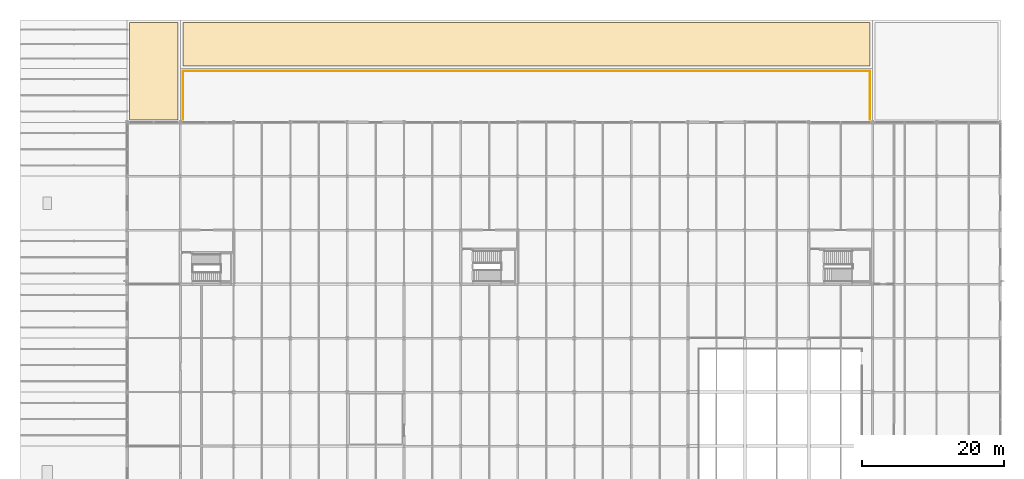
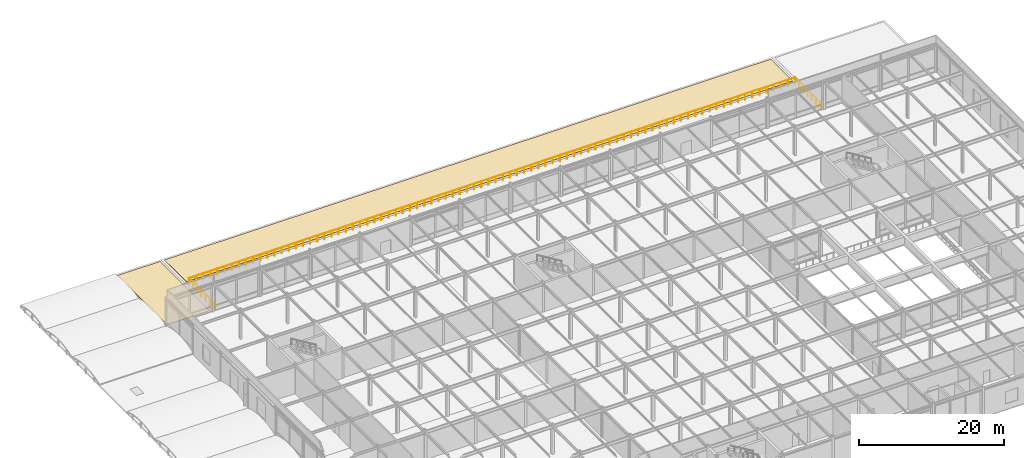
# One storey, part 77 of 79: 2 coverings, 1 railing.
"""IFC4 building model written with IfcOpenShell, lengths in metres."""

from ifc_helpers import new_model, si_unit, direction, frame, origin, origin_2d, place, context, subcontext, project, spatial, polyline, circle, outline, extrude, material, layer, layer_set, type_object, element, save


model = new_model("IFC4")

# Units and contexts
model_context = context("Model", 3, precision=1e-05, world=origin(), true_north=direction((0.0, 1.0)))
body_context = subcontext(model_context, "Body", "Model", "MODEL_VIEW")
ifc_project = project(units=[si_unit("LENGTHUNIT", "METRE"), si_unit("AREAUNIT", "SQUARE_METRE"), si_unit("VOLUMEUNIT", "CUBIC_METRE"), si_unit("PLANEANGLEUNIT", "RADIAN"), si_unit("MASSUNIT", "GRAM", prefix="KILO")], contexts=[model_context])

# Site, building, storey
site_placement = place(None, origin())
site = spatial("IfcSite", under=ifc_project, at=site_placement, CompositionType="ELEMENT")
building_placement = place(site_placement, origin())
building = spatial("IfcBuilding", under=site, at=building_placement, Name="Shalkamar Park Central Library", CompositionType="ELEMENT")
storey_placement = place(building_placement, frame((0.0, 0.0, 10.5)))
storey = spatial("IfcBuildingStorey", under=building, at=storey_placement, Name="L03", CompositionType="ELEMENT", Elevation=10.5)

# Coverings
ifc_material_1 = material(Name="SBS modified bitumen roofing membrane", Category="other")
ifc_layer = layer(ifc_material_1, 0.030029296875)
ifc_layer_set = layer_set([ifc_layer], Name="ColdClimateRoofMembrane")
covering_type = type_object("IfcCoveringType", Name="Cold Climate Roof Membrane", PredefinedType="ROOFING", material=ifc_layer_set)
covering_1_placement = place(storey_placement, origin())
element("IfcCovering", 1, at=covering_1_placement, inside=storey, type_object=covering_type, Name="SBS Roof Waterproofing Membrane RF-L02-NW", PredefinedType="ROOFING", context=body_context, shape_type="SweptSolid", body=[
    extrude(outline(polyline([(150.35009765625, 323.949951171875), (157.14990234375, 323.949951171875), (157.14990234375, 337.64990234375), (150.35009765625, 337.64990234375), (150.35009765625, 323.949951171875)])), origin(), (0.0, 0.0, 1.0), 0.030029296875),
])
covering_2_placement = place(storey_placement, origin())
element("IfcCovering", 2, at=covering_2_placement, inside=storey, type_object=covering_type, Name="SBS Roof Waterproofing Membrane RF-L02-NN", PredefinedType="ROOFING", context=body_context, shape_type="SweptSolid", body=[
    extrude(outline(polyline([(157.85009765625, 331.550048828125), (254.64990234375, 331.550048828125), (254.64990234375, 337.64990234375), (157.85009765625, 337.64990234375), (157.85009765625, 331.550048828125)])), origin(), (0.0, 0.0, 1.0), 0.030029296875),
])

# Railing
ifc_material_2 = material(Name="Steel S355", Category="steel")
railing_type = type_object("IfcRailingType", Name="Terrace Balustrade Guard 1100", PredefinedType="GUARDRAIL", material=ifc_material_2)
railing_placement = place(storey_placement, frame((157.860107421875, 323.9599609375, 0.0)))
element("IfcRailing", 3, at=railing_placement, inside=storey, type_object=railing_type, Name="Terrace Balustrade Guardrail TER-L03-N", PredefinedType="GUARDRAIL", context=body_context, shape_type="SweptSolid", body=[
    extrude(circle(Radius=0.02392578125, at=origin_2d()), frame((0.0, 0.0, 1.076171875), z_axis=(0.0, 1.0, 0.0), x_axis=(-1.0, 0.0, 0.0)), (0.0, 0.0, 1.0), 6.880126953125),
    extrude(circle(Radius=0.02392578125, at=origin_2d()), frame((0.0, 6.880126953125, 1.076171875), z_axis=(1.0, 0.0, 0.0), x_axis=(0.0, 1.0, 0.0)), (0.0, 0.0, 1.0), 96.77978515625),
    extrude(circle(Radius=0.02392578125, at=origin_2d()), frame((96.77978515625, 6.880126953125, 1.076171875), z_axis=(0.0, -1.0, 0.0), x_axis=(1.0, 0.0, 0.0)), (0.0, 0.0, 1.0), 6.880126953125),
    extrude(circle(Radius=0.02099609375, at=origin_2d()), origin(), (0.0, 0.0, 1.0), 1.052001953125),
    extrude(circle(Radius=0.02099609375, at=origin_2d()), frame((0.0, 1.146728515625, 0.0)), (0.0, 0.0, 1.0), 1.052001953125),
    extrude(circle(Radius=0.02099609375, at=origin_2d()), frame((0.0, 2.29345703125, 0.0)), (0.0, 0.0, 1.0), 1.052001953125),
    extrude(circle(Radius=0.02099609375, at=origin_2d()), frame((0.0, 3.43994140625, 0.0)), (0.0, 0.0, 1.0), 1.052001953125),
    extrude(circle(Radius=0.02099609375, at=origin_2d()), frame((0.0, 4.586669921875, 0.0)), (0.0, 0.0, 1.0), 1.052001953125),
    extrude(circle(Radius=0.02099609375, at=origin_2d()), frame((0.0, 5.7333984375, 0.0)), (0.0, 0.0, 1.0), 1.052001953125),
    extrude(circle(Radius=0.02099609375, at=origin_2d()), frame((0.0, 6.880126953125, 0.0)), (0.0, 0.0, 1.0), 1.052001953125),
    extrude(circle(Radius=0.02099609375, at=origin_2d()), frame((1.138671875, 6.880126953125, 0.0)), (0.0, 0.0, 1.0), 1.052001953125),
    extrude(circle(Radius=0.02099609375, at=origin_2d()), frame((2.277099609375, 6.880126953125, 0.0)), (0.0, 0.0, 1.0), 1.052001953125),
    extrude(circle(Radius=0.02099609375, at=origin_2d()), frame((3.415771484375, 6.880126953125, 0.0)), (0.0, 0.0, 1.0), 1.052001953125),
    extrude(circle(Radius=0.02099609375, at=origin_2d()), frame((4.554443359375, 6.880126953125, 0.0)), (0.0, 0.0, 1.0), 1.052001953125),
    extrude(circle(Radius=0.02099609375, at=origin_2d()), frame((5.69287109375, 6.880126953125, 0.0)), (0.0, 0.0, 1.0), 1.052001953125),
    extrude(circle(Radius=0.02099609375, at=origin_2d()), frame((6.83154296875, 6.880126953125, 0.0)), (0.0, 0.0, 1.0), 1.052001953125),
    extrude(circle(Radius=0.02099609375, at=origin_2d()), frame((7.97021484375, 6.880126953125, 0.0)), (0.0, 0.0, 1.0), 1.052001953125),
    extrude(circle(Radius=0.02099609375, at=origin_2d()), frame((9.108642578125, 6.880126953125, 0.0)), (0.0, 0.0, 1.0), 1.052001953125),
    extrude(circle(Radius=0.02099609375, at=origin_2d()), frame((10.247314453125, 6.880126953125, 0.0)), (0.0, 0.0, 1.0), 1.052001953125),
    extrude(circle(Radius=0.02099609375, at=origin_2d()), frame((11.3857421875, 6.880126953125, 0.0)), (0.0, 0.0, 1.0), 1.052001953125),
    extrude(circle(Radius=0.02099609375, at=origin_2d()), frame((12.5244140625, 6.880126953125, 0.0)), (0.0, 0.0, 1.0), 1.052001953125),
    extrude(circle(Radius=0.02099609375, at=origin_2d()), frame((13.6630859375, 6.880126953125, 0.0)), (0.0, 0.0, 1.0), 1.052001953125),
    extrude(circle(Radius=0.02099609375, at=origin_2d()), frame((14.801513671875, 6.880126953125, 0.0)), (0.0, 0.0, 1.0), 1.052001953125),
    extrude(circle(Radius=0.02099609375, at=origin_2d()), frame((15.940185546875, 6.880126953125, 0.0)), (0.0, 0.0, 1.0), 1.052001953125),
    extrude(circle(Radius=0.02099609375, at=origin_2d()), frame((17.078857421875, 6.880126953125, 0.0)), (0.0, 0.0, 1.0), 1.052001953125),
    extrude(circle(Radius=0.02099609375, at=origin_2d()), frame((18.21728515625, 6.880126953125, 0.0)), (0.0, 0.0, 1.0), 1.052001953125),
    extrude(circle(Radius=0.02099609375, at=origin_2d()), frame((19.35595703125, 6.880126953125, 0.0)), (0.0, 0.0, 1.0), 1.052001953125),
    extrude(circle(Radius=0.02099609375, at=origin_2d()), frame((20.49462890625, 6.880126953125, 0.0)), (0.0, 0.0, 1.0), 1.052001953125),
    extrude(circle(Radius=0.02099609375, at=origin_2d()), frame((21.633056640625, 6.880126953125, 0.0)), (0.0, 0.0, 1.0), 1.052001953125),
    extrude(circle(Radius=0.02099609375, at=origin_2d()), frame((22.771728515625, 6.880126953125, 0.0)), (0.0, 0.0, 1.0), 1.052001953125),
    extrude(circle(Radius=0.02099609375, at=origin_2d()), frame((23.910400390625, 6.880126953125, 0.0)), (0.0, 0.0, 1.0), 1.052001953125),
    extrude(circle(Radius=0.02099609375, at=origin_2d()), frame((25.048828125, 6.880126953125, 0.0)), (0.0, 0.0, 1.0), 1.052001953125),
    extrude(circle(Radius=0.02099609375, at=origin_2d()), frame((26.1875, 6.880126953125, 0.0)), (0.0, 0.0, 1.0), 1.052001953125),
    extrude(circle(Radius=0.02099609375, at=origin_2d()), frame((27.326171875, 6.880126953125, 0.0)), (0.0, 0.0, 1.0), 1.052001953125),
    extrude(circle(Radius=0.02099609375, at=origin_2d()), frame((28.464599609375, 6.880126953125, 0.0)), (0.0, 0.0, 1.0), 1.052001953125),
    extrude(circle(Radius=0.02099609375, at=origin_2d()), frame((29.603271484375, 6.880126953125, 0.0)), (0.0, 0.0, 1.0), 1.052001953125),
    extrude(circle(Radius=0.02099609375, at=origin_2d()), frame((30.74169921875, 6.880126953125, 0.0)), (0.0, 0.0, 1.0), 1.052001953125),
    extrude(circle(Radius=0.02099609375, at=origin_2d()), frame((31.88037109375, 6.880126953125, 0.0)), (0.0, 0.0, 1.0), 1.052001953125),
    extrude(circle(Radius=0.02099609375, at=origin_2d()), frame((33.01904296875, 6.880126953125, 0.0)), (0.0, 0.0, 1.0), 1.052001953125),
    extrude(circle(Radius=0.02099609375, at=origin_2d()), frame((34.157470703125, 6.880126953125, 0.0)), (0.0, 0.0, 1.0), 1.052001953125),
    extrude(circle(Radius=0.02099609375, at=origin_2d()), frame((35.296142578125, 6.880126953125, 0.0)), (0.0, 0.0, 1.0), 1.052001953125),
    extrude(circle(Radius=0.02099609375, at=origin_2d()), frame((36.434814453125, 6.880126953125, 0.0)), (0.0, 0.0, 1.0), 1.052001953125),
    extrude(circle(Radius=0.02099609375, at=origin_2d()), frame((37.5732421875, 6.880126953125, 0.0)), (0.0, 0.0, 1.0), 1.052001953125),
    extrude(circle(Radius=0.02099609375, at=origin_2d()), frame((38.7119140625, 6.880126953125, 0.0)), (0.0, 0.0, 1.0), 1.052001953125),
    extrude(circle(Radius=0.02099609375, at=origin_2d()), frame((39.8505859375, 6.880126953125, 0.0)), (0.0, 0.0, 1.0), 1.052001953125),
    extrude(circle(Radius=0.02099609375, at=origin_2d()), frame((40.989013671875, 6.880126953125, 0.0)), (0.0, 0.0, 1.0), 1.052001953125),
    extrude(circle(Radius=0.02099609375, at=origin_2d()), frame((42.127685546875, 6.880126953125, 0.0)), (0.0, 0.0, 1.0), 1.052001953125),
    extrude(circle(Radius=0.02099609375, at=origin_2d()), frame((43.266357421875, 6.880126953125, 0.0)), (0.0, 0.0, 1.0), 1.052001953125),
    extrude(circle(Radius=0.02099609375, at=origin_2d()), frame((44.40478515625, 6.880126953125, 0.0)), (0.0, 0.0, 1.0), 1.052001953125),
    extrude(circle(Radius=0.02099609375, at=origin_2d()), frame((45.54345703125, 6.880126953125, 0.0)), (0.0, 0.0, 1.0), 1.052001953125),
    extrude(circle(Radius=0.02099609375, at=origin_2d()), frame((46.68212890625, 6.880126953125, 0.0)), (0.0, 0.0, 1.0), 1.052001953125),
    extrude(circle(Radius=0.02099609375, at=origin_2d()), frame((47.820556640625, 6.880126953125, 0.0)), (0.0, 0.0, 1.0), 1.052001953125),
    extrude(circle(Radius=0.02099609375, at=origin_2d()), frame((48.959228515625, 6.880126953125, 0.0)), (0.0, 0.0, 1.0), 1.052001953125),
    extrude(circle(Radius=0.02099609375, at=origin_2d()), frame((50.09765625, 6.880126953125, 0.0)), (0.0, 0.0, 1.0), 1.052001953125),
    extrude(circle(Radius=0.02099609375, at=origin_2d()), frame((51.236328125, 6.880126953125, 0.0)), (0.0, 0.0, 1.0), 1.052001953125),
    extrude(circle(Radius=0.02099609375, at=origin_2d()), frame((52.375, 6.880126953125, 0.0)), (0.0, 0.0, 1.0), 1.052001953125),
    extrude(circle(Radius=0.02099609375, at=origin_2d()), frame((53.513427734375, 6.880126953125, 0.0)), (0.0, 0.0, 1.0), 1.052001953125),
    extrude(circle(Radius=0.02099609375, at=origin_2d()), frame((54.652099609375, 6.880126953125, 0.0)), (0.0, 0.0, 1.0), 1.052001953125),
    extrude(circle(Radius=0.02099609375, at=origin_2d()), frame((55.790771484375, 6.880126953125, 0.0)), (0.0, 0.0, 1.0), 1.052001953125),
    extrude(circle(Radius=0.02099609375, at=origin_2d()), frame((56.92919921875, 6.880126953125, 0.0)), (0.0, 0.0, 1.0), 1.052001953125),
    extrude(circle(Radius=0.02099609375, at=origin_2d()), frame((58.06787109375, 6.880126953125, 0.0)), (0.0, 0.0, 1.0), 1.052001953125),
    extrude(circle(Radius=0.02099609375, at=origin_2d()), frame((59.20654296875, 6.880126953125, 0.0)), (0.0, 0.0, 1.0), 1.052001953125),
    extrude(circle(Radius=0.02099609375, at=origin_2d()), frame((60.344970703125, 6.880126953125, 0.0)), (0.0, 0.0, 1.0), 1.052001953125),
    extrude(circle(Radius=0.02099609375, at=origin_2d()), frame((61.483642578125, 6.880126953125, 0.0)), (0.0, 0.0, 1.0), 1.052001953125),
    extrude(circle(Radius=0.02099609375, at=origin_2d()), frame((62.622314453125, 6.880126953125, 0.0)), (0.0, 0.0, 1.0), 1.052001953125),
    extrude(circle(Radius=0.02099609375, at=origin_2d()), frame((63.7607421875, 6.880126953125, 0.0)), (0.0, 0.0, 1.0), 1.052001953125),
    extrude(circle(Radius=0.02099609375, at=origin_2d()), frame((64.8994140625, 6.880126953125, 0.0)), (0.0, 0.0, 1.0), 1.052001953125),
    extrude(circle(Radius=0.02099609375, at=origin_2d()), frame((66.0380859375, 6.880126953125, 0.0)), (0.0, 0.0, 1.0), 1.052001953125),
    extrude(circle(Radius=0.02099609375, at=origin_2d()), frame((67.176513671875, 6.880126953125, 0.0)), (0.0, 0.0, 1.0), 1.052001953125),
    extrude(circle(Radius=0.02099609375, at=origin_2d()), frame((68.315185546875, 6.880126953125, 0.0)), (0.0, 0.0, 1.0), 1.052001953125),
    extrude(circle(Radius=0.02099609375, at=origin_2d()), frame((69.45361328125, 6.880126953125, 0.0)), (0.0, 0.0, 1.0), 1.052001953125),
    extrude(circle(Radius=0.02099609375, at=origin_2d()), frame((70.59228515625, 6.880126953125, 0.0)), (0.0, 0.0, 1.0), 1.052001953125),
    extrude(circle(Radius=0.02099609375, at=origin_2d()), frame((71.73095703125, 6.880126953125, 0.0)), (0.0, 0.0, 1.0), 1.052001953125),
    extrude(circle(Radius=0.02099609375, at=origin_2d()), frame((72.869384765625, 6.880126953125, 0.0)), (0.0, 0.0, 1.0), 1.052001953125),
    extrude(circle(Radius=0.02099609375, at=origin_2d()), frame((74.008056640625, 6.880126953125, 0.0)), (0.0, 0.0, 1.0), 1.052001953125),
    extrude(circle(Radius=0.02099609375, at=origin_2d()), frame((75.146728515625, 6.880126953125, 0.0)), (0.0, 0.0, 1.0), 1.052001953125),
    extrude(circle(Radius=0.02099609375, at=origin_2d()), frame((76.28515625, 6.880126953125, 0.0)), (0.0, 0.0, 1.0), 1.052001953125),
    extrude(circle(Radius=0.02099609375, at=origin_2d()), frame((77.423828125, 6.880126953125, 0.0)), (0.0, 0.0, 1.0), 1.052001953125),
    extrude(circle(Radius=0.02099609375, at=origin_2d()), frame((78.5625, 6.880126953125, 0.0)), (0.0, 0.0, 1.0), 1.052001953125),
    extrude(circle(Radius=0.02099609375, at=origin_2d()), frame((79.700927734375, 6.880126953125, 0.0)), (0.0, 0.0, 1.0), 1.052001953125),
    extrude(circle(Radius=0.02099609375, at=origin_2d()), frame((80.839599609375, 6.880126953125, 0.0)), (0.0, 0.0, 1.0), 1.052001953125),
    extrude(circle(Radius=0.02099609375, at=origin_2d()), frame((81.978271484375, 6.880126953125, 0.0)), (0.0, 0.0, 1.0), 1.052001953125),
    extrude(circle(Radius=0.02099609375, at=origin_2d()), frame((83.11669921875, 6.880126953125, 0.0)), (0.0, 0.0, 1.0), 1.052001953125),
    extrude(circle(Radius=0.02099609375, at=origin_2d()), frame((84.25537109375, 6.880126953125, 0.0)), (0.0, 0.0, 1.0), 1.052001953125),
    extrude(circle(Radius=0.02099609375, at=origin_2d()), frame((85.39404296875, 6.880126953125, 0.0)), (0.0, 0.0, 1.0), 1.052001953125),
    extrude(circle(Radius=0.02099609375, at=origin_2d()), frame((86.532470703125, 6.880126953125, 0.0)), (0.0, 0.0, 1.0), 1.052001953125),
    extrude(circle(Radius=0.02099609375, at=origin_2d()), frame((87.671142578125, 6.880126953125, 0.0)), (0.0, 0.0, 1.0), 1.052001953125),
    extrude(circle(Radius=0.02099609375, at=origin_2d()), frame((88.8095703125, 6.880126953125, 0.0)), (0.0, 0.0, 1.0), 1.052001953125),
    extrude(circle(Radius=0.02099609375, at=origin_2d()), frame((89.9482421875, 6.880126953125, 0.0)), (0.0, 0.0, 1.0), 1.052001953125),
    extrude(circle(Radius=0.02099609375, at=origin_2d()), frame((91.0869140625, 6.880126953125, 0.0)), (0.0, 0.0, 1.0), 1.052001953125),
    extrude(circle(Radius=0.02099609375, at=origin_2d()), frame((92.225341796875, 6.880126953125, 0.0)), (0.0, 0.0, 1.0), 1.052001953125),
    extrude(circle(Radius=0.02099609375, at=origin_2d()), frame((93.364013671875, 6.880126953125, 0.0)), (0.0, 0.0, 1.0), 1.052001953125),
    extrude(circle(Radius=0.02099609375, at=origin_2d()), frame((94.502685546875, 6.880126953125, 0.0)), (0.0, 0.0, 1.0), 1.052001953125),
    extrude(circle(Radius=0.02099609375, at=origin_2d()), frame((95.64111328125, 6.880126953125, 0.0)), (0.0, 0.0, 1.0), 1.052001953125),
    extrude(circle(Radius=0.02099609375, at=origin_2d()), frame((96.77978515625, 6.880126953125, 0.0)), (0.0, 0.0, 1.0), 1.052001953125),
    extrude(circle(Radius=0.02099609375, at=origin_2d()), frame((96.77978515625, 5.7333984375, 0.0)), (0.0, 0.0, 1.0), 1.052001953125),
    extrude(circle(Radius=0.02099609375, at=origin_2d()), frame((96.77978515625, 4.586669921875, 0.0)), (0.0, 0.0, 1.0), 1.052001953125),
    extrude(circle(Radius=0.02099609375, at=origin_2d()), frame((96.77978515625, 3.43994140625, 0.0)), (0.0, 0.0, 1.0), 1.052001953125),
    extrude(circle(Radius=0.02099609375, at=origin_2d()), frame((96.77978515625, 2.29345703125, 0.0)), (0.0, 0.0, 1.0), 1.052001953125),
    extrude(circle(Radius=0.02099609375, at=origin_2d()), frame((96.77978515625, 1.146728515625, 0.0)), (0.0, 0.0, 1.0), 1.052001953125),
    extrude(circle(Radius=0.02099609375, at=origin_2d()), frame((96.77978515625, 0.0, 0.0)), (0.0, 0.0, 1.0), 1.052001953125),
])

save(model, "model.ifc")
